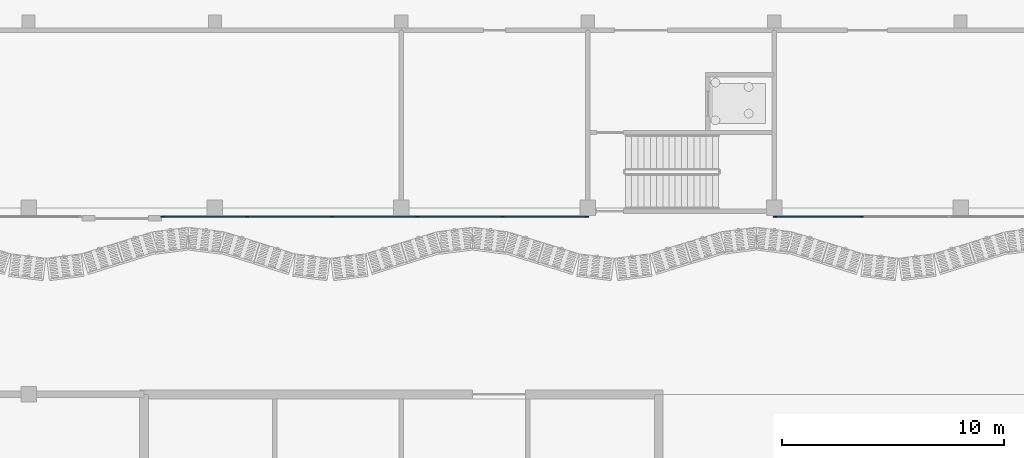
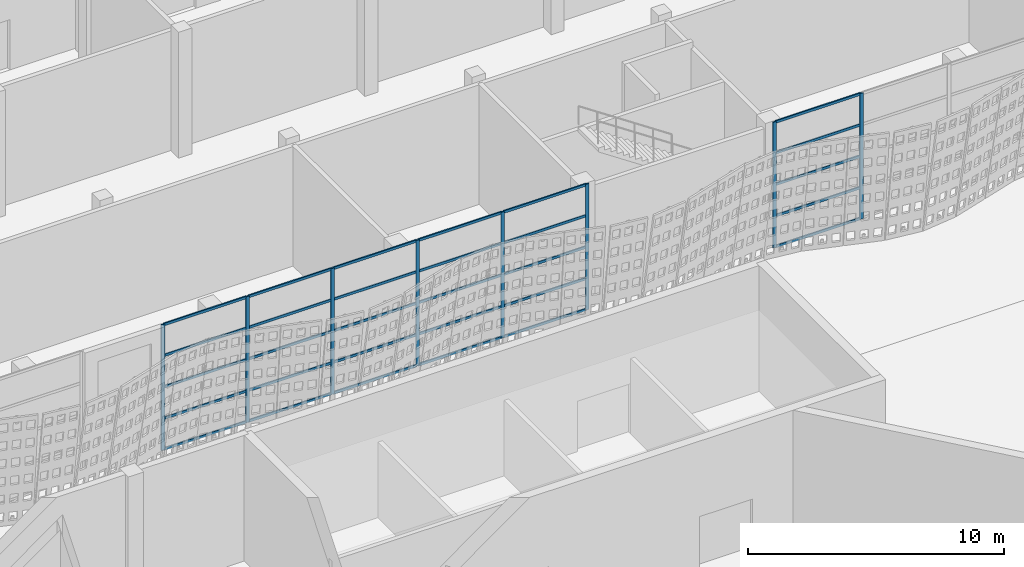
# One storey, part 53 of 210: 38 members, 2 elements without a shape of their own.
"""IFC4 building model written with IfcOpenShell, lengths in metres."""

from ifc_helpers import new_model, si_unit, direction, frame, origin, origin_2d, place, context, subcontext, project, spatial, rectangle, extrude, material, layer, layer_set, material_profile, profile_set, type_object, element, aggregate, save


model = new_model("IFC4")

# Units and contexts
model_context = context("Model", 3, precision=1e-05, world=origin(), true_north=direction((0.0, 1.0)))
body_context = subcontext(model_context, "Body", "Model", "MODEL_VIEW")
ifc_project = project(units=[si_unit("LENGTHUNIT", "METRE"), si_unit("AREAUNIT", "SQUARE_METRE"), si_unit("VOLUMEUNIT", "CUBIC_METRE"), si_unit("PLANEANGLEUNIT", "RADIAN"), si_unit("MASSUNIT", "GRAM", prefix="KILO")], contexts=[model_context])

# Site, building, storey
site_placement = place(None, origin())
site = spatial("IfcSite", under=ifc_project, at=site_placement, CompositionType="ELEMENT")
building_placement = place(site_placement, origin())
building = spatial("IfcBuilding", under=site, at=building_placement, Name="Rain Tree Exposition and Congress Centre", CompositionType="ELEMENT")
storey_placement = place(building_placement, origin())
storey = spatial("IfcBuildingStorey", under=building, at=storey_placement, Name="L00", CompositionType="ELEMENT", Elevation=0.0)

# Curtain wall, members
ifc_material_1 = material(Name="Aluminium curtain wall system", Category="aluminium")
ifc_layer = layer(ifc_material_1, 0.10009765625)
ifc_layer_set = layer_set([ifc_layer], Name="Aluminium curtain wall system")
curtain_wall_type = type_object("IfcCurtainWallType", Name="Concourse curtain wall 4200 module", PredefinedType="NOTDEFINED", material=ifc_layer_set)
curtain_wall_1_placement = place(storey_placement, origin())
curtain_wall_1 = element("IfcCurtainWall", 1, at=curtain_wall_1_placement, inside=storey, type_object=curtain_wall_type, Name="Concourse curtain wall CWC18", PredefinedType="NOTDEFINED")
ifc_material_2 = material(Name="Aluminium mullion", Category="aluminium")
ifc_material_profile_1 = material_profile(ifc_material_2, rectangle(XDim=0.06005859375, YDim=0.159912109375, at=origin_2d()), Name="AL 60x160")
ifc_profile_set_1 = profile_set([ifc_material_profile_1], Name="Aluminium mullion")
member_type_1 = type_object("IfcMemberType", Name="Concourse curtain wall mullion 60x160", PredefinedType="MULLION", material=ifc_profile_set_1)
member_1_placement = place(storey_placement, frame((190.830078125, 75.199951171875, 0.0), z_axis=(0.0, 0.0, 1.0), x_axis=(0.0, 1.0, 0.0)))
member_1 = element("IfcMember", 2, at=member_1_placement, type_object=member_type_1, Name="CWC18 mullion 1", PredefinedType="MULLION", context=body_context, shape_type="SweptSolid", body=[
    extrude(rectangle(XDim=0.06005859375, YDim=0.159912109375, at=origin_2d()), origin(), (0.0, 0.0, 1.0), 6.0),
])
member_2_placement = place(storey_placement, frame((194.639892578125, 75.199951171875, 0.0), z_axis=(0.0, 0.0, 1.0), x_axis=(0.0, 1.0, 0.0)))
member_2 = element("IfcMember", 3, at=member_2_placement, type_object=member_type_1, Name="CWC18 mullion 2", PredefinedType="MULLION", context=body_context, shape_type="SweptSolid", body=[
    extrude(rectangle(XDim=0.06005859375, YDim=0.159912109375, at=origin_2d()), origin(), (0.0, 0.0, 1.0), 6.0),
])
member_3_placement = place(storey_placement, frame((198.47998046875, 75.199951171875, 0.0), z_axis=(0.0, 0.0, 1.0), x_axis=(0.0, 1.0, 0.0)))
member_3 = element("IfcMember", 4, at=member_3_placement, type_object=member_type_1, Name="CWC18 mullion 3", PredefinedType="MULLION", context=body_context, shape_type="SweptSolid", body=[
    extrude(rectangle(XDim=0.06005859375, YDim=0.159912109375, at=origin_2d()), origin(), (0.0, 0.0, 1.0), 6.0),
])
member_4_placement = place(storey_placement, frame((202.320068359375, 75.199951171875, 0.0), z_axis=(0.0, 0.0, 1.0), x_axis=(0.0, 1.0, 0.0)))
member_4 = element("IfcMember", 5, at=member_4_placement, type_object=member_type_1, Name="CWC18 mullion 4", PredefinedType="MULLION", context=body_context, shape_type="SweptSolid", body=[
    extrude(rectangle(XDim=0.06005859375, YDim=0.159912109375, at=origin_2d()), origin(), (0.0, 0.0, 1.0), 6.0),
])
member_5_placement = place(storey_placement, frame((206.159912109375, 75.199951171875, 0.0), z_axis=(0.0, 0.0, 1.0), x_axis=(0.0, 1.0, 0.0)))
member_5 = element("IfcMember", 6, at=member_5_placement, type_object=member_type_1, Name="CWC18 mullion 5", PredefinedType="MULLION", context=body_context, shape_type="SweptSolid", body=[
    extrude(rectangle(XDim=0.06005859375, YDim=0.159912109375, at=origin_2d()), origin(), (0.0, 0.0, 1.0), 6.0),
])
member_6_placement = place(storey_placement, frame((209.969970703125, 75.199951171875, 0.0), z_axis=(0.0, 0.0, 1.0), x_axis=(0.0, 1.0, 0.0)))
member_6 = element("IfcMember", 7, at=member_6_placement, type_object=member_type_1, Name="CWC18 mullion 6", PredefinedType="MULLION", context=body_context, shape_type="SweptSolid", body=[
    extrude(rectangle(XDim=0.06005859375, YDim=0.159912109375, at=origin_2d()), origin(), (0.0, 0.0, 1.0), 6.0),
])

curtain_wall_2_placement = place(storey_placement, origin())
curtain_wall_2 = element("IfcCurtainWall", 8, at=curtain_wall_2_placement, inside=storey, type_object=curtain_wall_type, Name="Concourse curtain wall CWC19", PredefinedType="NOTDEFINED")
member_7_placement = place(storey_placement, frame((218.429931640625, 75.199951171875, 0.0), z_axis=(0.0, 0.0, 1.0), x_axis=(0.0, 1.0, 0.0)))
member_7 = element("IfcMember", 9, at=member_7_placement, type_object=member_type_1, Name="CWC19 mullion 1", PredefinedType="MULLION", context=body_context, shape_type="SweptSolid", body=[
    extrude(rectangle(XDim=0.06005859375, YDim=0.159912109375, at=origin_2d()), origin(), (0.0, 0.0, 1.0), 6.0),
])
member_8_placement = place(storey_placement, frame((222.3427734375, 75.199951171875, 0.0), z_axis=(0.0, 0.0, 1.0), x_axis=(0.0, 1.0, 0.0)))
member_8 = element("IfcMember", 10, at=member_8_placement, type_object=member_type_1, Name="CWC19 mullion 2", PredefinedType="MULLION", context=body_context, shape_type="SweptSolid", body=[
    extrude(rectangle(XDim=0.06005859375, YDim=0.159912109375, at=origin_2d()), origin(), (0.0, 0.0, 1.0), 6.0),
])

# Member
ifc_material_3 = material(Name="Aluminium transom", Category="aluminium")
ifc_material_profile_2 = material_profile(ifc_material_3, rectangle(XDim=0.06005859375, YDim=0.1201171875, at=origin_2d()), Name="AL 60x120")
ifc_profile_set_2 = profile_set([ifc_material_profile_2], Name="Aluminium transom")
member_type_2 = type_object("IfcMemberType", Name="Concourse curtain wall transom 60x120", PredefinedType="USERDEFINED", material=ifc_profile_set_2)
member_9_placement = place(storey_placement, frame((190.860107421875, 75.199951171875, 0.030029296875), z_axis=(1.0, 0.0, 0.0), x_axis=(0.0, 1.0, 0.0)))
member_9 = element("IfcMember", 11, at=member_9_placement, type_object=member_type_2, Name="CWC18 transom 1.1", ObjectType="TRANSOM", PredefinedType="USERDEFINED", context=body_context, shape_type="SweptSolid", body=[
    extrude(rectangle(XDim=0.06005859375, YDim=0.1201171875, at=origin_2d()), origin(), (0.0, 0.0, 1.0), 3.75),
])

member_10_placement = place(storey_placement, frame((190.860107421875, 75.199951171875, 1.5), z_axis=(1.0, 0.0, 0.0), x_axis=(0.0, 1.0, 0.0)))
member_10 = element("IfcMember", 12, at=member_10_placement, type_object=member_type_2, Name="CWC18 transom 1.2", ObjectType="TRANSOM", PredefinedType="USERDEFINED", context=body_context, shape_type="SweptSolid", body=[
    extrude(rectangle(XDim=0.06005859375, YDim=0.1201171875, at=origin_2d()), origin(), (0.0, 0.0, 1.0), 3.75),
])

member_11_placement = place(storey_placement, frame((190.860107421875, 75.199951171875, 3.0), z_axis=(1.0, 0.0, 0.0), x_axis=(0.0, 1.0, 0.0)))
member_11 = element("IfcMember", 13, at=member_11_placement, type_object=member_type_2, Name="CWC18 transom 1.3", ObjectType="TRANSOM", PredefinedType="USERDEFINED", context=body_context, shape_type="SweptSolid", body=[
    extrude(rectangle(XDim=0.06005859375, YDim=0.1201171875, at=origin_2d()), origin(), (0.0, 0.0, 1.0), 3.75),
])

member_12_placement = place(storey_placement, frame((190.860107421875, 75.199951171875, 4.5), z_axis=(1.0, 0.0, 0.0), x_axis=(0.0, 1.0, 0.0)))
member_12 = element("IfcMember", 14, at=member_12_placement, type_object=member_type_2, Name="CWC18 transom 1.4", ObjectType="TRANSOM", PredefinedType="USERDEFINED", context=body_context, shape_type="SweptSolid", body=[
    extrude(rectangle(XDim=0.06005859375, YDim=0.1201171875, at=origin_2d()), origin(), (0.0, 0.0, 1.0), 3.75),
])

member_13_placement = place(storey_placement, frame((190.860107421875, 75.199951171875, 5.969970703125), z_axis=(1.0, 0.0, 0.0), x_axis=(0.0, 1.0, 0.0)))
member_13 = element("IfcMember", 15, at=member_13_placement, type_object=member_type_2, Name="CWC18 transom 1.5", ObjectType="TRANSOM", PredefinedType="USERDEFINED", context=body_context, shape_type="SweptSolid", body=[
    extrude(rectangle(XDim=0.06005859375, YDim=0.1201171875, at=origin_2d()), origin(), (0.0, 0.0, 1.0), 3.75),
])

member_14_placement = place(storey_placement, frame((194.669921875, 75.199951171875, 0.030029296875), z_axis=(1.0, 0.0, 0.0), x_axis=(0.0, 1.0, 0.0)))
member_14 = element("IfcMember", 16, at=member_14_placement, type_object=member_type_2, Name="CWC18 transom 2.1", ObjectType="TRANSOM", PredefinedType="USERDEFINED", context=body_context, shape_type="SweptSolid", body=[
    extrude(rectangle(XDim=0.06005859375, YDim=0.1201171875, at=origin_2d()), origin(), (0.0, 0.0, 1.0), 3.780029296875),
])

member_15_placement = place(storey_placement, frame((194.669921875, 75.199951171875, 1.5), z_axis=(1.0, 0.0, 0.0), x_axis=(0.0, 1.0, 0.0)))
member_15 = element("IfcMember", 17, at=member_15_placement, type_object=member_type_2, Name="CWC18 transom 2.2", ObjectType="TRANSOM", PredefinedType="USERDEFINED", context=body_context, shape_type="SweptSolid", body=[
    extrude(rectangle(XDim=0.06005859375, YDim=0.1201171875, at=origin_2d()), origin(), (0.0, 0.0, 1.0), 3.780029296875),
])

member_16_placement = place(storey_placement, frame((194.669921875, 75.199951171875, 3.0), z_axis=(1.0, 0.0, 0.0), x_axis=(0.0, 1.0, 0.0)))
member_16 = element("IfcMember", 18, at=member_16_placement, type_object=member_type_2, Name="CWC18 transom 2.3", ObjectType="TRANSOM", PredefinedType="USERDEFINED", context=body_context, shape_type="SweptSolid", body=[
    extrude(rectangle(XDim=0.06005859375, YDim=0.1201171875, at=origin_2d()), origin(), (0.0, 0.0, 1.0), 3.780029296875),
])

member_17_placement = place(storey_placement, frame((194.669921875, 75.199951171875, 4.5), z_axis=(1.0, 0.0, 0.0), x_axis=(0.0, 1.0, 0.0)))
member_17 = element("IfcMember", 19, at=member_17_placement, type_object=member_type_2, Name="CWC18 transom 2.4", ObjectType="TRANSOM", PredefinedType="USERDEFINED", context=body_context, shape_type="SweptSolid", body=[
    extrude(rectangle(XDim=0.06005859375, YDim=0.1201171875, at=origin_2d()), origin(), (0.0, 0.0, 1.0), 3.780029296875),
])

member_18_placement = place(storey_placement, frame((194.669921875, 75.199951171875, 5.969970703125), z_axis=(1.0, 0.0, 0.0), x_axis=(0.0, 1.0, 0.0)))
member_18 = element("IfcMember", 20, at=member_18_placement, type_object=member_type_2, Name="CWC18 transom 2.5", ObjectType="TRANSOM", PredefinedType="USERDEFINED", context=body_context, shape_type="SweptSolid", body=[
    extrude(rectangle(XDim=0.06005859375, YDim=0.1201171875, at=origin_2d()), origin(), (0.0, 0.0, 1.0), 3.780029296875),
])

member_19_placement = place(storey_placement, frame((198.510009765625, 75.199951171875, 0.030029296875), z_axis=(1.0, 0.0, 0.0), x_axis=(0.0, 1.0, 0.0)))
member_19 = element("IfcMember", 21, at=member_19_placement, type_object=member_type_2, Name="CWC18 transom 3.1", ObjectType="TRANSOM", PredefinedType="USERDEFINED", context=body_context, shape_type="SweptSolid", body=[
    extrude(rectangle(XDim=0.06005859375, YDim=0.1201171875, at=origin_2d()), origin(), (0.0, 0.0, 1.0), 3.780029296875),
])

member_20_placement = place(storey_placement, frame((198.510009765625, 75.199951171875, 1.5), z_axis=(1.0, 0.0, 0.0), x_axis=(0.0, 1.0, 0.0)))
member_20 = element("IfcMember", 22, at=member_20_placement, type_object=member_type_2, Name="CWC18 transom 3.2", ObjectType="TRANSOM", PredefinedType="USERDEFINED", context=body_context, shape_type="SweptSolid", body=[
    extrude(rectangle(XDim=0.06005859375, YDim=0.1201171875, at=origin_2d()), origin(), (0.0, 0.0, 1.0), 3.780029296875),
])

member_21_placement = place(storey_placement, frame((198.510009765625, 75.199951171875, 3.0), z_axis=(1.0, 0.0, 0.0), x_axis=(0.0, 1.0, 0.0)))
member_21 = element("IfcMember", 23, at=member_21_placement, type_object=member_type_2, Name="CWC18 transom 3.3", ObjectType="TRANSOM", PredefinedType="USERDEFINED", context=body_context, shape_type="SweptSolid", body=[
    extrude(rectangle(XDim=0.06005859375, YDim=0.1201171875, at=origin_2d()), origin(), (0.0, 0.0, 1.0), 3.780029296875),
])

member_22_placement = place(storey_placement, frame((198.510009765625, 75.199951171875, 4.5), z_axis=(1.0, 0.0, 0.0), x_axis=(0.0, 1.0, 0.0)))
member_22 = element("IfcMember", 24, at=member_22_placement, type_object=member_type_2, Name="CWC18 transom 3.4", ObjectType="TRANSOM", PredefinedType="USERDEFINED", context=body_context, shape_type="SweptSolid", body=[
    extrude(rectangle(XDim=0.06005859375, YDim=0.1201171875, at=origin_2d()), origin(), (0.0, 0.0, 1.0), 3.780029296875),
])

member_23_placement = place(storey_placement, frame((198.510009765625, 75.199951171875, 5.969970703125), z_axis=(1.0, 0.0, 0.0), x_axis=(0.0, 1.0, 0.0)))
member_23 = element("IfcMember", 25, at=member_23_placement, type_object=member_type_2, Name="CWC18 transom 3.5", ObjectType="TRANSOM", PredefinedType="USERDEFINED", context=body_context, shape_type="SweptSolid", body=[
    extrude(rectangle(XDim=0.06005859375, YDim=0.1201171875, at=origin_2d()), origin(), (0.0, 0.0, 1.0), 3.780029296875),
])

member_24_placement = place(storey_placement, frame((202.35009765625, 75.199951171875, 0.030029296875), z_axis=(1.0, 0.0, 0.0), x_axis=(0.0, 1.0, 0.0)))
member_24 = element("IfcMember", 26, at=member_24_placement, type_object=member_type_2, Name="CWC18 transom 4.1", ObjectType="TRANSOM", PredefinedType="USERDEFINED", context=body_context, shape_type="SweptSolid", body=[
    extrude(rectangle(XDim=0.06005859375, YDim=0.1201171875, at=origin_2d()), origin(), (0.0, 0.0, 1.0), 3.77978515625),
])

member_25_placement = place(storey_placement, frame((202.35009765625, 75.199951171875, 1.5), z_axis=(1.0, 0.0, 0.0), x_axis=(0.0, 1.0, 0.0)))
member_25 = element("IfcMember", 27, at=member_25_placement, type_object=member_type_2, Name="CWC18 transom 4.2", ObjectType="TRANSOM", PredefinedType="USERDEFINED", context=body_context, shape_type="SweptSolid", body=[
    extrude(rectangle(XDim=0.06005859375, YDim=0.1201171875, at=origin_2d()), origin(), (0.0, 0.0, 1.0), 3.77978515625),
])

member_26_placement = place(storey_placement, frame((202.35009765625, 75.199951171875, 3.0), z_axis=(1.0, 0.0, 0.0), x_axis=(0.0, 1.0, 0.0)))
member_26 = element("IfcMember", 28, at=member_26_placement, type_object=member_type_2, Name="CWC18 transom 4.3", ObjectType="TRANSOM", PredefinedType="USERDEFINED", context=body_context, shape_type="SweptSolid", body=[
    extrude(rectangle(XDim=0.06005859375, YDim=0.1201171875, at=origin_2d()), origin(), (0.0, 0.0, 1.0), 3.77978515625),
])

member_27_placement = place(storey_placement, frame((202.35009765625, 75.199951171875, 4.5), z_axis=(1.0, 0.0, 0.0), x_axis=(0.0, 1.0, 0.0)))
member_27 = element("IfcMember", 29, at=member_27_placement, type_object=member_type_2, Name="CWC18 transom 4.4", ObjectType="TRANSOM", PredefinedType="USERDEFINED", context=body_context, shape_type="SweptSolid", body=[
    extrude(rectangle(XDim=0.06005859375, YDim=0.1201171875, at=origin_2d()), origin(), (0.0, 0.0, 1.0), 3.77978515625),
])

member_28_placement = place(storey_placement, frame((202.35009765625, 75.199951171875, 5.969970703125), z_axis=(1.0, 0.0, 0.0), x_axis=(0.0, 1.0, 0.0)))
member_28 = element("IfcMember", 30, at=member_28_placement, type_object=member_type_2, Name="CWC18 transom 4.5", ObjectType="TRANSOM", PredefinedType="USERDEFINED", context=body_context, shape_type="SweptSolid", body=[
    extrude(rectangle(XDim=0.06005859375, YDim=0.1201171875, at=origin_2d()), origin(), (0.0, 0.0, 1.0), 3.77978515625),
])

member_29_placement = place(storey_placement, frame((206.18994140625, 75.199951171875, 0.030029296875), z_axis=(1.0, 0.0, 0.0), x_axis=(0.0, 1.0, 0.0)))
member_29 = element("IfcMember", 31, at=member_29_placement, type_object=member_type_2, Name="CWC18 transom 5.1", ObjectType="TRANSOM", PredefinedType="USERDEFINED", context=body_context, shape_type="SweptSolid", body=[
    extrude(rectangle(XDim=0.06005859375, YDim=0.1201171875, at=origin_2d()), origin(), (0.0, 0.0, 1.0), 3.75),
])

member_30_placement = place(storey_placement, frame((206.18994140625, 75.199951171875, 1.5), z_axis=(1.0, 0.0, 0.0), x_axis=(0.0, 1.0, 0.0)))
member_30 = element("IfcMember", 32, at=member_30_placement, type_object=member_type_2, Name="CWC18 transom 5.2", ObjectType="TRANSOM", PredefinedType="USERDEFINED", context=body_context, shape_type="SweptSolid", body=[
    extrude(rectangle(XDim=0.06005859375, YDim=0.1201171875, at=origin_2d()), origin(), (0.0, 0.0, 1.0), 3.75),
])

member_31_placement = place(storey_placement, frame((206.18994140625, 75.199951171875, 3.0), z_axis=(1.0, 0.0, 0.0), x_axis=(0.0, 1.0, 0.0)))
member_31 = element("IfcMember", 33, at=member_31_placement, type_object=member_type_2, Name="CWC18 transom 5.3", ObjectType="TRANSOM", PredefinedType="USERDEFINED", context=body_context, shape_type="SweptSolid", body=[
    extrude(rectangle(XDim=0.06005859375, YDim=0.1201171875, at=origin_2d()), origin(), (0.0, 0.0, 1.0), 3.75),
])

member_32_placement = place(storey_placement, frame((206.18994140625, 75.199951171875, 4.5), z_axis=(1.0, 0.0, 0.0), x_axis=(0.0, 1.0, 0.0)))
member_32 = element("IfcMember", 34, at=member_32_placement, type_object=member_type_2, Name="CWC18 transom 5.4", ObjectType="TRANSOM", PredefinedType="USERDEFINED", context=body_context, shape_type="SweptSolid", body=[
    extrude(rectangle(XDim=0.06005859375, YDim=0.1201171875, at=origin_2d()), origin(), (0.0, 0.0, 1.0), 3.75),
])

member_33_placement = place(storey_placement, frame((206.18994140625, 75.199951171875, 5.969970703125), z_axis=(1.0, 0.0, 0.0), x_axis=(0.0, 1.0, 0.0)))
member_33 = element("IfcMember", 35, at=member_33_placement, type_object=member_type_2, Name="CWC18 transom 5.5", ObjectType="TRANSOM", PredefinedType="USERDEFINED", context=body_context, shape_type="SweptSolid", body=[
    extrude(rectangle(XDim=0.06005859375, YDim=0.1201171875, at=origin_2d()), origin(), (0.0, 0.0, 1.0), 3.75),
])

aggregate(curtain_wall_1, [member_1, member_2, member_3, member_4, member_5, member_6, member_9, member_10, member_11, member_12, member_13, member_14, member_15, member_16, member_17, member_18, member_19, member_20, member_21, member_22, member_23, member_24, member_25, member_26, member_27, member_28, member_29, member_30, member_31, member_32, member_33])

member_34_placement = place(storey_placement, frame((218.4599609375, 75.199951171875, 0.030029296875), z_axis=(1.0, 0.0, 0.0), x_axis=(0.0, 1.0, 0.0)))
member_34 = element("IfcMember", 36, at=member_34_placement, type_object=member_type_2, Name="CWC19 transom 1.1", ObjectType="TRANSOM", PredefinedType="USERDEFINED", context=body_context, shape_type="SweptSolid", body=[
    extrude(rectangle(XDim=0.06005859375, YDim=0.1201171875, at=origin_2d()), origin(), (0.0, 0.0, 1.0), 3.852783203125),
])

member_35_placement = place(storey_placement, frame((218.4599609375, 75.199951171875, 1.5), z_axis=(1.0, 0.0, 0.0), x_axis=(0.0, 1.0, 0.0)))
member_35 = element("IfcMember", 37, at=member_35_placement, type_object=member_type_2, Name="CWC19 transom 1.2", ObjectType="TRANSOM", PredefinedType="USERDEFINED", context=body_context, shape_type="SweptSolid", body=[
    extrude(rectangle(XDim=0.06005859375, YDim=0.1201171875, at=origin_2d()), origin(), (0.0, 0.0, 1.0), 3.852783203125),
])

member_36_placement = place(storey_placement, frame((218.4599609375, 75.199951171875, 3.0), z_axis=(1.0, 0.0, 0.0), x_axis=(0.0, 1.0, 0.0)))
member_36 = element("IfcMember", 38, at=member_36_placement, type_object=member_type_2, Name="CWC19 transom 1.3", ObjectType="TRANSOM", PredefinedType="USERDEFINED", context=body_context, shape_type="SweptSolid", body=[
    extrude(rectangle(XDim=0.06005859375, YDim=0.1201171875, at=origin_2d()), origin(), (0.0, 0.0, 1.0), 3.852783203125),
])

member_37_placement = place(storey_placement, frame((218.4599609375, 75.199951171875, 4.5), z_axis=(1.0, 0.0, 0.0), x_axis=(0.0, 1.0, 0.0)))
member_37 = element("IfcMember", 39, at=member_37_placement, type_object=member_type_2, Name="CWC19 transom 1.4", ObjectType="TRANSOM", PredefinedType="USERDEFINED", context=body_context, shape_type="SweptSolid", body=[
    extrude(rectangle(XDim=0.06005859375, YDim=0.1201171875, at=origin_2d()), origin(), (0.0, 0.0, 1.0), 3.852783203125),
])

member_38_placement = place(storey_placement, frame((218.4599609375, 75.199951171875, 5.969970703125), z_axis=(1.0, 0.0, 0.0), x_axis=(0.0, 1.0, 0.0)))
member_38 = element("IfcMember", 40, at=member_38_placement, type_object=member_type_2, Name="CWC19 transom 1.5", ObjectType="TRANSOM", PredefinedType="USERDEFINED", context=body_context, shape_type="SweptSolid", body=[
    extrude(rectangle(XDim=0.06005859375, YDim=0.1201171875, at=origin_2d()), origin(), (0.0, 0.0, 1.0), 3.852783203125),
])

aggregate(curtain_wall_2, [member_7, member_8, member_34, member_35, member_36, member_37, member_38])

save(model, "model.ifc")
